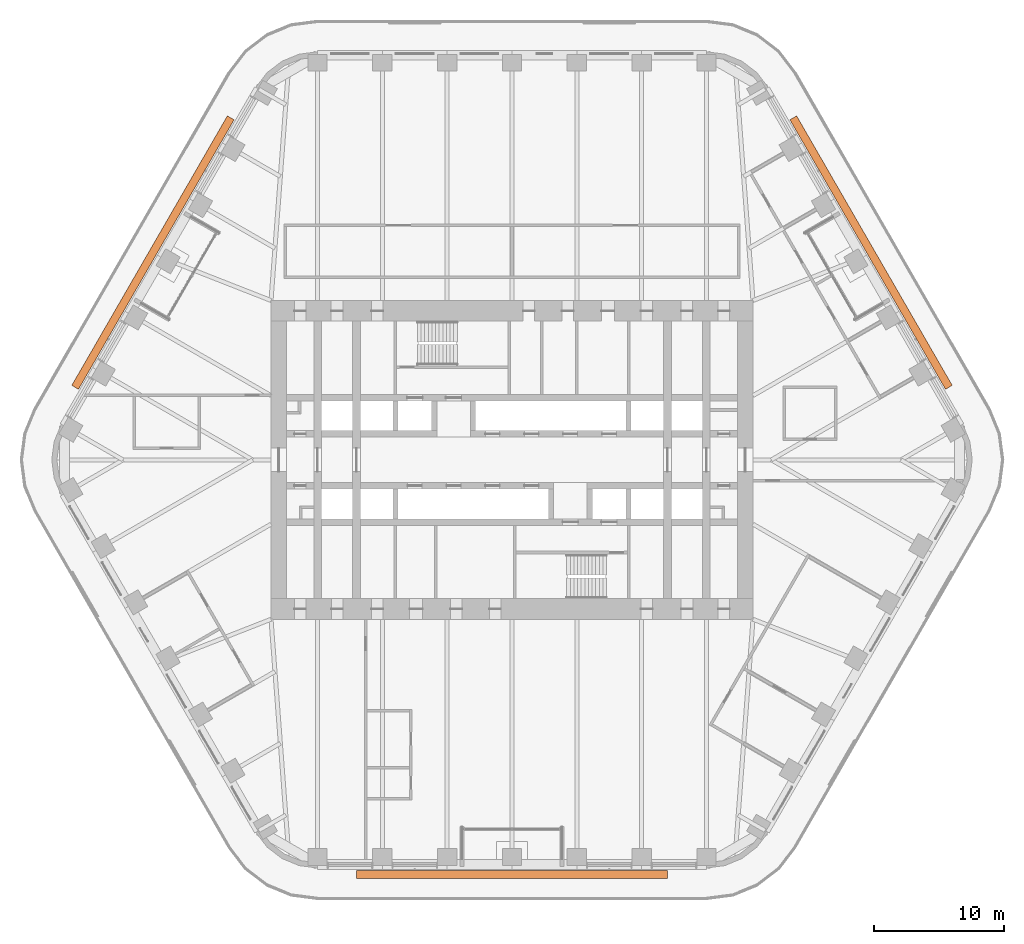
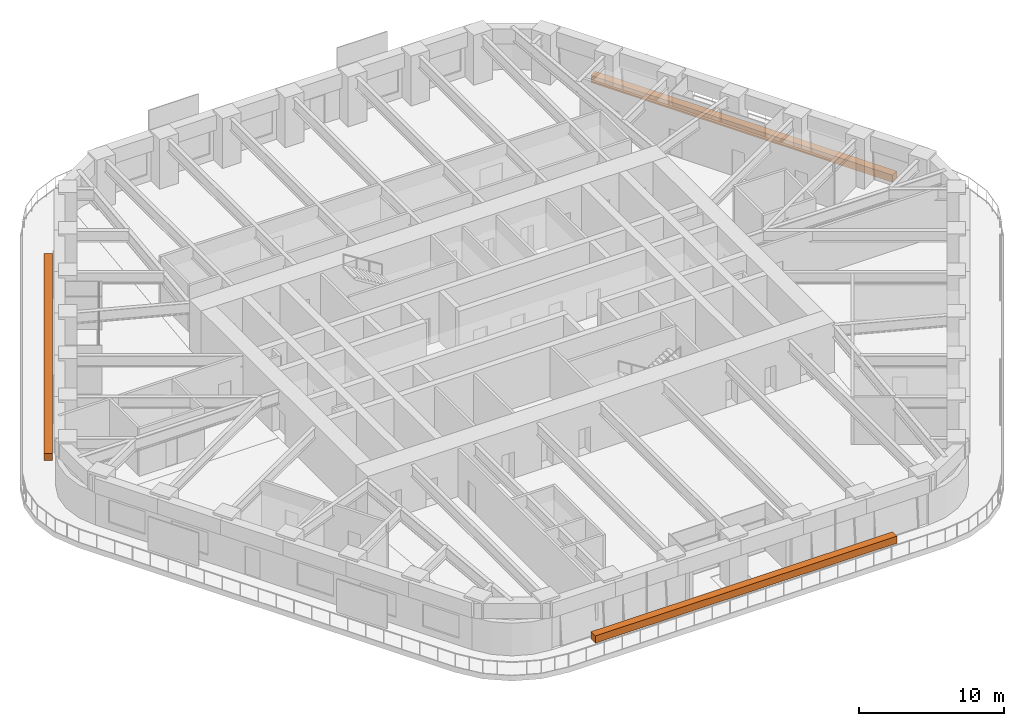
# One storey, part 24 of 24: 3 proxies.
"""IFC4 building model written with IfcOpenShell, lengths in metres."""

from ifc_helpers import new_model, si_unit, direction, frame, origin, origin_2d, place, context, subcontext, project, spatial, rectangle, extrude, material, element, save


model = new_model("IFC4")

# Units and contexts
model_context = context("Model", 3, precision=1e-05, world=origin(), true_north=direction((0.0, 1.0)))
body_context = subcontext(model_context, "Body", "Model", "MODEL_VIEW")
ifc_project = project(units=[si_unit("LENGTHUNIT", "METRE"), si_unit("AREAUNIT", "SQUARE_METRE"), si_unit("VOLUMEUNIT", "CUBIC_METRE"), si_unit("PLANEANGLEUNIT", "RADIAN"), si_unit("MASSUNIT", "GRAM", prefix="KILO")], contexts=[model_context])

# Site, building, storey
site_placement = place(None, origin())
site = spatial("IfcSite", under=ifc_project, at=site_placement, CompositionType="ELEMENT")
building_placement = place(site_placement, origin())
building = spatial("IfcBuilding", under=site, at=building_placement, Name="Tarfa Lantern Tower", CompositionType="ELEMENT")
storey_placement = place(building_placement, frame((0.0, 0.0, 190.89990234375)))
storey = spatial("IfcBuildingStorey", under=building, at=storey_placement, Name="L43", CompositionType="ELEMENT", Elevation=190.89990234375)

# Proxies
ifc_material = material(Name="Planting bed")
for number, where, z_axis, x_axis, name in (
    (1, (27.712890625, 16.0, 0.0), (0.0, 0.0, 1.0), (-0.5, 0.866025403784, 0.0), "Balcony planter"),
    (2, (-27.712890625, 16.0, 0.0), (0.0, 0.0, 1.0), (-0.5, -0.866025403784, 0.0), "Balcony planter"),
    (3, (0.0, -32.0, 0.0), (0.0, 0.0, 1.0), (1.0, 0.0, 0.0), "Balcony planter"),
):
    element("IfcBuildingElementProxy", number, at=place(storey_placement, frame(where, z_axis=z_axis, x_axis=x_axis)), inside=storey, material=ifc_material, Name=name, ObjectType="PLANTER", PredefinedType="USERDEFINED", context=body_context, shape_type="SweptSolid", body=[
        extrude(rectangle(XDim=24.017822265625, YDim=0.60009765625, at=origin_2d()), origin(), (0.0, 0.0, 1.0), 0.60009765625),
    ])

save(model, "model.ifc")
